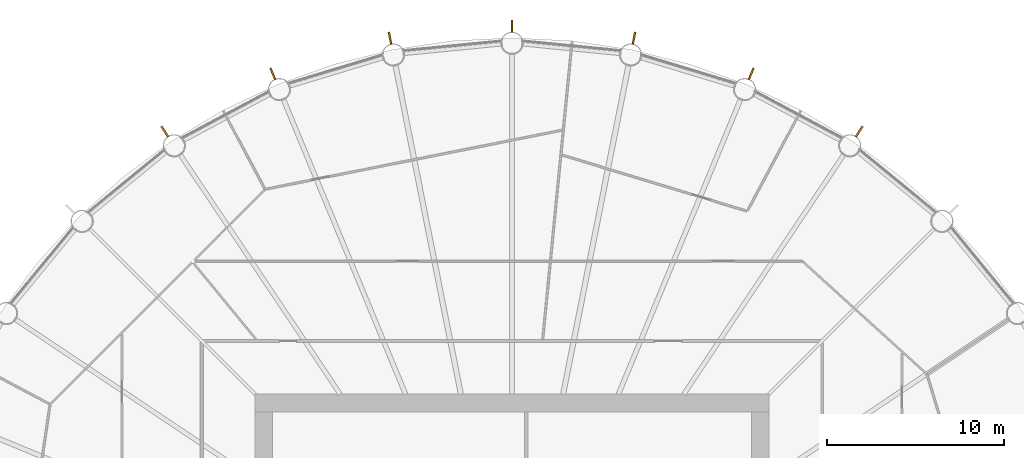
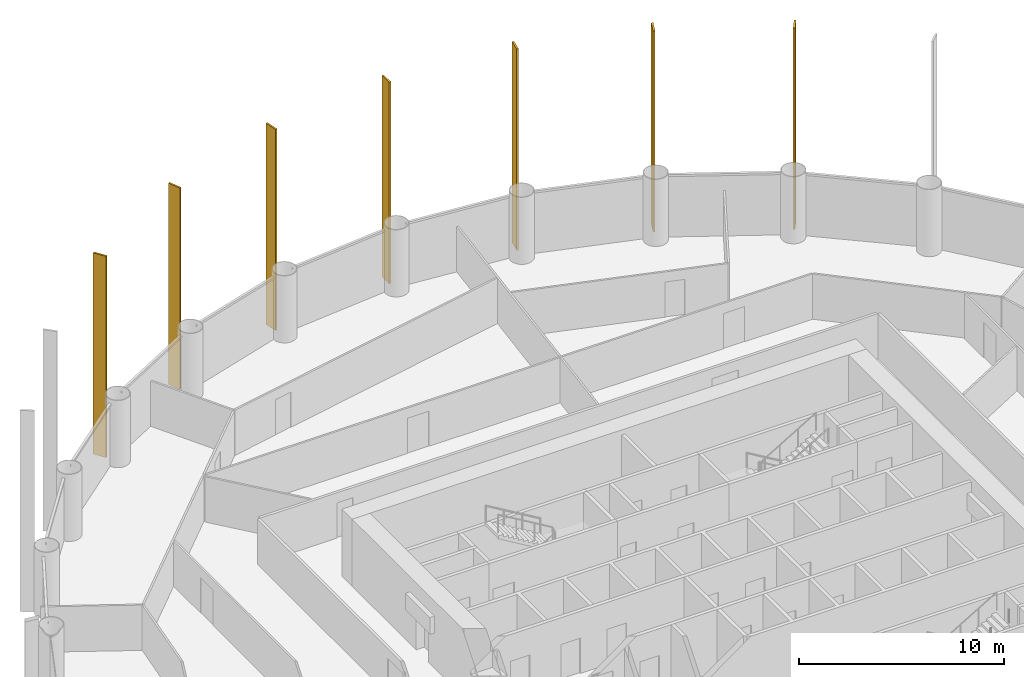
# One storey, part 10 of 10: 7 shading devices.
"""IFC4 building model written with IfcOpenShell, lengths in metres."""

from ifc_helpers import new_model, si_unit, direction, frame, origin, origin_2d, place, context, subcontext, project, spatial, rectangle, extrude, material, material_profile, profile_set, type_object, element, save


model = new_model("IFC4")

# Units and contexts
model_context = context("Model", 3, precision=1e-05, world=origin(), true_north=direction((0.0, 1.0)))
body_context = subcontext(model_context, "Body", "Model", "MODEL_VIEW")
ifc_project = project(units=[si_unit("LENGTHUNIT", "METRE"), si_unit("AREAUNIT", "SQUARE_METRE"), si_unit("VOLUMEUNIT", "CUBIC_METRE"), si_unit("PLANEANGLEUNIT", "RADIAN"), si_unit("MASSUNIT", "GRAM", prefix="KILO")], contexts=[model_context])

# Site, building, storey
site_placement = place(None, origin())
site = spatial("IfcSite", under=ifc_project, at=site_placement, CompositionType="ELEMENT")
building_placement = place(site_placement, origin())
building = spatial("IfcBuilding", under=site, at=building_placement, Name="Corvane Civic Tower", CompositionType="ELEMENT")
storey_placement = place(building_placement, frame((0.0, 0.0, 118.5)))
storey = spatial("IfcBuildingStorey", under=building, at=storey_placement, Name="L27", CompositionType="ELEMENT", Elevation=118.5)

# Shading devices
ifc_material = material(Name="Anodised aluminium bronze", Category="aluminium")
ifc_material_profile = material_profile(ifc_material, rectangle(XDim=0.10009765625, YDim=0.699951171875, at=origin_2d()), Name="TOWER FIN STACK 100x700 BRONZE")
ifc_profile_set = profile_set([ifc_material_profile], Name="Anodised aluminium bronze")
shading_device_type = type_object("IfcShadingDeviceType", Name="TOWER FIN STACK 100x700 BRONZE", PredefinedType="USERDEFINED", material=ifc_profile_set)
for number, where, z_axis, x_axis, name in (
    (1, (0.0, 35.2548828125, 0.0), (0.0, 0.0, 1.0), (1.0, 0.0, 0.0), "Fin 01 L27 to L29"),
    (2, (6.8779296875, 34.57763671875, 0.0), (0.0, 0.0, 1.0), (0.980785280403, -0.195090322016, 0.0), "Fin 02 L27 to L29"),
    (3, (13.491455078125, 32.5712890625, 0.0), (0.0, 0.0, 1.0), (0.923879532511, -0.382683432365, 0.0), "Fin 03 L27 to L29"),
    (4, (19.586669921875, 29.3134765625, 0.0), (0.0, 0.0, 1.0), (0.831469612303, -0.55557023302, 0.0), "Fin 04 L27 to L29"),
    (5, (-19.586669921875, 29.3134765625, 0.0), (0.0, 0.0, 1.0), (0.831469612303, 0.55557023302, 0.0), "Fin 30 L27 to L29"),
    (6, (-13.491455078125, 32.5712890625, 0.0), (0.0, 0.0, 1.0), (0.923879532511, 0.382683432365, 0.0), "Fin 31 L27 to L29"),
    (7, (-6.8779296875, 34.57763671875, 0.0), (0.0, 0.0, 1.0), (0.980785280403, 0.195090322016, 0.0), "Fin 32 L27 to L29"),
):
    element("IfcShadingDevice", number, at=place(storey_placement, frame(where, z_axis=z_axis, x_axis=x_axis)), inside=storey, type_object=shading_device_type, Name=name, ObjectType="FIN", PredefinedType="USERDEFINED", context=body_context, shape_type="SweptSolid", body=[
        extrude(rectangle(XDim=0.10009765625, YDim=0.699951171875, at=origin_2d()), origin(), (0.0, 0.0, 1.0), 12.0),
    ])

save(model, "model.ifc")
